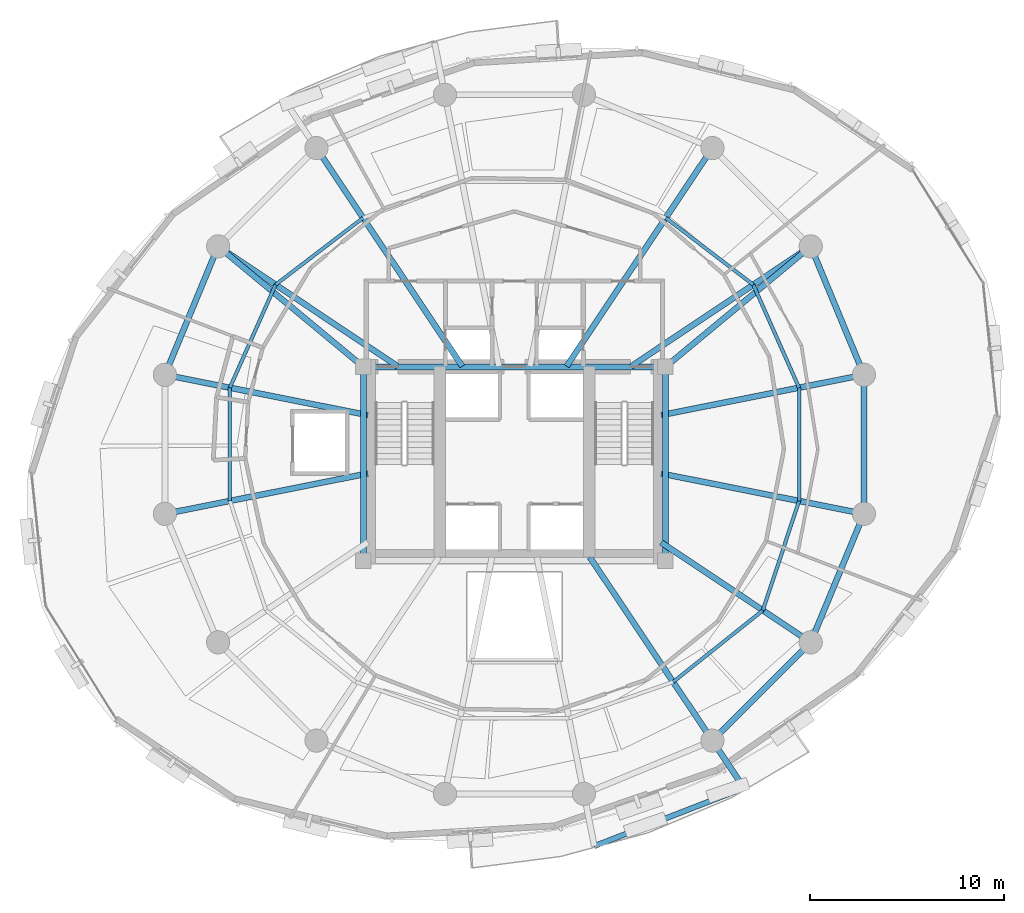
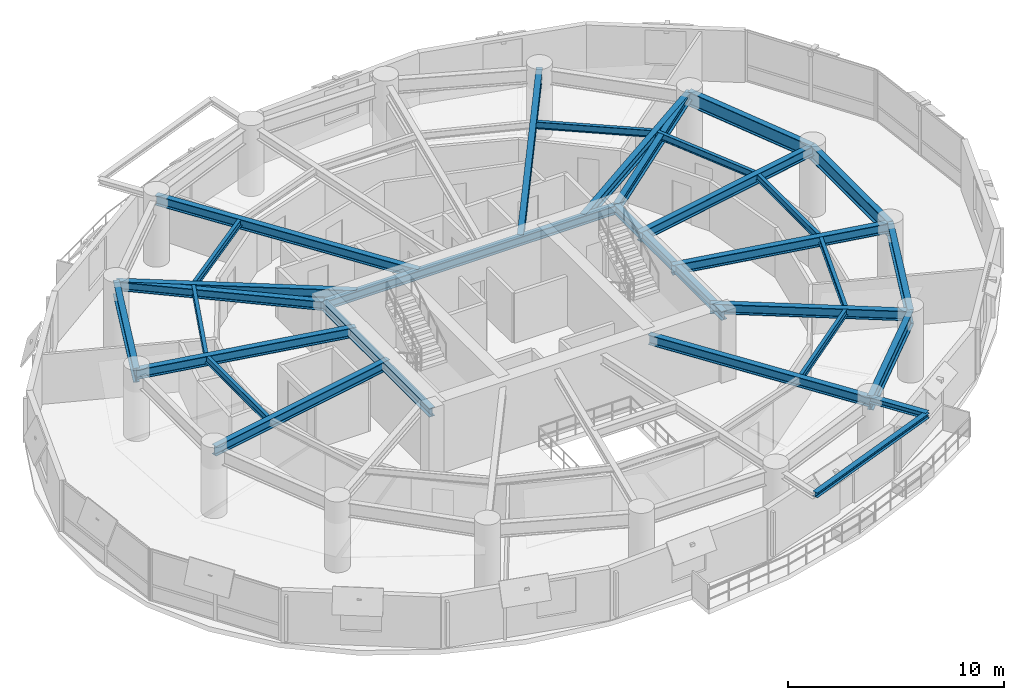
# One storey, part 5 of 15: 30 beams.
"""IFC4 building model written with IfcOpenShell, lengths in metres."""

import ifcopenshell
import ifcopenshell.guid

model = None  # the IFC model being written
_history = None  # IfcOwnerHistory: only IFC2X3 demands one
_inside = {}  # id of a spatial element -> (the spatial element, [elements in it])
_under = {}  # id of a project, library or spatial element -> (it, [spatial elements below it])
_declared = {}  # id of a project -> (the project, [libraries it declares])
_typed = {}  # id of a type object -> (the type object, [elements of that type])
_made_of = {}  # id of a material, layer set ... -> (it, [elements and type objects made of it])


def new_model(schema):
    """Start an empty IFC model of exactly this schema.

    Asked for "IFC4X3", IfcOpenShell would pick the latest addendum, in which some entities
    have other attributes; the version numbers below select the first issue.
    IFC2X3 requires an IfcOwnerHistory on every rooted entity: one is made here for all.
    """
    global model, _history
    if schema == "IFC4X3":
        model = ifcopenshell.file(schema_version=(4, 3, 0, 0))
    else:
        model = ifcopenshell.file(schema=schema)
    _inside.clear()
    _under.clear()
    _declared.clear()
    _typed.clear()
    _made_of.clear()
    _history = None
    if model.schema == "IFC2X3":
        org = make("IfcOrganization", Name="unknown")
        user = make(
            "IfcPersonAndOrganization",
            ThePerson=make("IfcPerson", FamilyName="unknown"),
            TheOrganization=org,
        )
        app = make(
            "IfcApplication",
            ApplicationDeveloper=org,
            Version="unknown",
            ApplicationFullName="unknown",
            ApplicationIdentifier="unknown",
        )
        _history = make(
            "IfcOwnerHistory",
            OwningUser=user,
            OwningApplication=app,
            ChangeAction="ADDED",
            CreationDate=0,
        )
    return model


def make(cls, **values):
    """One entity of the class cls with the attributes given. An attribute that is None is left unset."""
    return model.create_entity(
        cls, **{name: value for name, value in values.items() if value is not None}
    )


def rooted(cls, **values):
    """An entity with a GlobalId (a new one), such as an element, a storey or a relation."""
    return make(cls, GlobalId=ifcopenshell.guid.new(), OwnerHistory=_history, **values)


def si_unit(unit_type, name, prefix=None):
    """IfcSIUnit, for example si_unit("LENGTHUNIT", "METRE", prefix="MILLI")."""
    return make("IfcSIUnit", UnitType=unit_type, Prefix=prefix, Name=name)


def assignment(units):
    """IfcUnitAssignment: the units of a project."""
    return None if units is None else make("IfcUnitAssignment", Units=units)


def point(xyz):
    """IfcCartesianPoint."""
    return None if xyz is None else make("IfcCartesianPoint", Coordinates=xyz)


def direction(xyz):
    """IfcDirection."""
    return None if xyz is None else make("IfcDirection", DirectionRatios=xyz)


def frame(location, z_axis=None, x_axis=None):
    """IfcAxis2Placement3D, a coordinate frame: its origin and axes. An axis left out is left unset."""
    return make(
        "IfcAxis2Placement3D",
        Location=point(location),
        Axis=direction(z_axis),
        RefDirection=direction(x_axis),
    )


def frame_2d(location, x_axis=None):
    """IfcAxis2Placement2D, a coordinate frame in the plane: its origin and x axis."""
    return make(
        "IfcAxis2Placement2D", Location=point(location), RefDirection=direction(x_axis)
    )


def origin():
    """The frame at (0, 0, 0) with its axes left unset."""
    return frame((0.0, 0.0, 0.0))


def origin_2d():
    """The frame at (0, 0) in the plane with its x axis left unset."""
    return frame_2d((0.0, 0.0))


def place(relative_to, where):
    """IfcLocalPlacement: puts the frame where relative to a parent placement (None: the world)."""
    return make(
        "IfcLocalPlacement", PlacementRelTo=relative_to, RelativePlacement=where
    )


def context(
    kind, dimensions, precision=None, world=None, true_north=None, identifier=None
):
    """IfcGeometricRepresentationContext, for example the 3D "Model" context."""
    return make(
        "IfcGeometricRepresentationContext",
        ContextIdentifier=identifier,
        ContextType=kind,
        CoordinateSpaceDimension=dimensions,
        Precision=precision,
        WorldCoordinateSystem=world,
        TrueNorth=true_north,
    )


def subcontext(parent, identifier, kind, view, scale=None):
    """IfcGeometricRepresentationSubContext, for example "Body" below "Model"."""
    return make(
        "IfcGeometricRepresentationSubContext",
        ContextIdentifier=identifier,
        ContextType=kind,
        ParentContext=parent,
        TargetScale=scale,
        TargetView=view,
    )


def project(units=None, contexts=None):
    """IfcProject with its units and contexts."""
    return rooted(
        "IfcProject",
        Name="project",
        RepresentationContexts=contexts,
        UnitsInContext=assignment(units),
    )


def spatial(cls, under=None, at=None, **own):
    """A site, building, storey or space (cls), placed at a placement, below another one or the project."""
    s = rooted(cls, ObjectPlacement=at, **own)
    if under is not None:
        _under.setdefault(under.id(), (under, []))[1].append(s)
    return s


def profile(cls, at=None, kind="AREA", **sizes):
    """A parametric profile (cls). Its sizes go by their IFC names, for example OverallWidth=200.0."""
    return make(cls, ProfileType=kind, Position=at, **sizes)


def i_section(**sizes):
    """IfcIShapeProfileDef."""
    return profile("IfcIShapeProfileDef", **sizes)


def extrude(swept, where, along, depth):
    """IfcExtrudedAreaSolid: the profile swept, set in the frame where, extruded along a direction by depth."""
    return make(
        "IfcExtrudedAreaSolid",
        SweptArea=swept,
        Position=where,
        ExtrudedDirection=direction(along),
        Depth=depth,
    )


def shape(context_of_items, identifier, shape_type, items):
    """IfcShapeRepresentation: the items that make up one representation, for example the "Body"."""
    return make(
        "IfcShapeRepresentation",
        ContextOfItems=context_of_items,
        RepresentationIdentifier=identifier,
        RepresentationType=shape_type,
        Items=items,
    )


def material(Name=None, Category=None):
    """IfcMaterial."""
    return make("IfcMaterial", Name=Name, Category=Category)


def material_profile(
    of_material, cross_section, Name=None, Category=None, Priority=None
):
    """IfcMaterialProfile: a cross section and its material."""
    return make(
        "IfcMaterialProfile",
        Name=Name,
        Material=of_material,
        Profile=cross_section,
        Priority=Priority,
        Category=Category,
    )


def profile_set(profiles, Name=None, composite=None):
    """IfcMaterialProfileSet."""
    return make(
        "IfcMaterialProfileSet",
        Name=Name,
        MaterialProfiles=profiles,
        CompositeProfile=composite,
    )


def made_of(thing, what):
    """Note that an element or type object is made of a material, layer set ...; save() writes the relation."""
    if what is not None:
        _made_of.setdefault(what.id(), (what, []))[1].append(thing)
    return thing


def type_object(cls, material=None, **own):
    """A type object (cls), such as IfcWallType, which elements share."""
    return made_of(rooted(cls, **own), material)


def element(
    cls,
    number,
    at=None,
    inside=None,
    cuts=None,
    type_object=None,
    material=None,
    context=None,
    identifier="Body",
    shape_type=None,
    held_by="IfcProductDefinitionShape",
    body=None,
    shapes=None,
    **own,
):
    """One element of the class cls, such as IfcWall. Its Tag is "e" and its number.

    at: its placement. inside: the storey or other place that contains it. cuts: it is an
    opening in that element (IfcRelVoidsElement). A single representation is given by context,
    identifier, shape_type and body (its items); several are given by shapes. held_by: the class
    of the entity that holds the representations. save() writes the other relations.
    """
    e = rooted(cls, Tag="e%d" % number, ObjectPlacement=at, **own)
    if body is not None:
        shapes = [shape(context, identifier, shape_type, body)]
    if shapes is not None:
        e.Representation = make(held_by, Representations=shapes)
    if inside is not None:
        _inside.setdefault(inside.id(), (inside, []))[1].append(e)
    if cuts is not None:
        rooted(
            "IfcRelVoidsElement", RelatingBuildingElement=cuts, RelatedOpeningElement=e
        )
    if type_object is not None:
        _typed.setdefault(type_object.id(), (type_object, []))[1].append(e)
    return made_of(e, material)


def aggregate(whole, parts):
    """IfcRelAggregates: a whole, such as a stair, and the parts it consists of."""
    return rooted("IfcRelAggregates", RelatingObject=whole, RelatedObjects=parts)


def save(model, path):
    """Write the relations noted so far, then the file.

    IfcRelAggregates (storeys below a building ...), IfcRelContainedInSpatialStructure (elements
    in a storey), IfcRelDefinesByType, IfcRelAssociatesMaterial and IfcRelDeclares: one each for
    every whole, place, type object, material and project.
    """
    for whole, parts in _under.values():
        aggregate(whole, parts)
    for where, things in _inside.values():
        rooted(
            "IfcRelContainedInSpatialStructure",
            RelatedElements=things,
            RelatingStructure=where,
        )
    for kind, things in _typed.values():
        rooted("IfcRelDefinesByType", RelatedObjects=things, RelatingType=kind)
    for what, things in _made_of.values():
        rooted("IfcRelAssociatesMaterial", RelatedObjects=things, RelatingMaterial=what)
    for by, libraries in _declared.values():
        rooted("IfcRelDeclares", RelatingContext=by, RelatedDefinitions=libraries)
    model.write(path)


model = new_model("IFC4")

# Units and contexts
model_context = context("Model", 3, precision=1e-05, world=origin(), true_north=direction((0.0, 1.0)))
body_context = subcontext(model_context, "Body", "Model", "MODEL_VIEW")
ifc_project = project(units=[si_unit("LENGTHUNIT", "METRE"), si_unit("AREAUNIT", "SQUARE_METRE"), si_unit("VOLUMEUNIT", "CUBIC_METRE"), si_unit("PLANEANGLEUNIT", "RADIAN"), si_unit("MASSUNIT", "GRAM", prefix="KILO"), si_unit("THERMODYNAMICTEMPERATUREUNIT", "KELVIN"), si_unit("POWERUNIT", "WATT")], contexts=[model_context])

# Site, building, storey
site_placement = place(None, origin())
site = spatial("IfcSite", under=ifc_project, at=site_placement, CompositionType="ELEMENT")
building_placement = place(site_placement, origin())
building = spatial("IfcBuilding", under=site, at=building_placement, Name="Ocrelia Relay Tower", CompositionType="ELEMENT")
storey_placement = place(building_placement, frame((0.0, 0.0, 113.800048828125)))
storey = spatial("IfcBuildingStorey", under=building, at=storey_placement, Name="L26", CompositionType="ELEMENT", Elevation=113.800048828125)

# Beams
ifc_material = material(Name="Steel S355", Category="steel")
ifc_material_profile_1 = material_profile(ifc_material, i_section(OverallWidth=0.280029296875, OverallDepth=0.27001953125, WebThickness=0.008056640625, FlangeThickness=0.012939453125, FilletRadius=0.02392578125, at=origin_2d()), Name="HEA 280")
ifc_profile_set_1 = profile_set([ifc_material_profile_1], Name="Steel S355")
beam_type_1 = type_object("IfcBeamType", Name="BM-HEA280", PredefinedType="BEAM", material=ifc_profile_set_1)
beam_1_placement = place(storey_placement, frame((38.126708984375, 5.254638671875, 3.5849609375), z_axis=(0.932059369209, 0.362305578579, 0.0), x_axis=(-0.362305578579, 0.932059369209, 0.0)))
element("IfcBeam", 1, at=beam_1_placement, inside=storey, type_object=beam_type_1, Name="L27 Balcony Edge Trimmer Beam B2", PredefinedType="BEAM", context=body_context, shape_type="SweptSolid", body=[
    extrude(i_section(OverallWidth=0.280029296875, OverallDepth=0.27001953125, WebThickness=0.008056640625, FlangeThickness=0.012939453125, FilletRadius=0.02392578125, at=origin_2d()), origin(), (0.0, 0.0, 1.0), 8.291015625),
])
ifc_material_profile_2 = material_profile(ifc_material, i_section(OverallWidth=0.300048828125, OverallDepth=0.330078125, WebThickness=0.009521484375, FlangeThickness=0.0166015625, FilletRadius=0.027099609375, at=origin_2d()), Name="HEA 340")
ifc_profile_set_2 = profile_set([ifc_material_profile_2], Name="Steel S355")
beam_type_2 = type_object("IfcBeamType", Name="BM-HEA340", PredefinedType="BEAM", material=ifc_profile_set_2)
beam_2_placement = place(storey_placement, frame((44.222412109375, 10.700927734375, 3.554931640625), z_axis=(0.555601312317, -0.83144884494, 0.0), x_axis=(0.83144884494, 0.555601312317, 0.0)))
element("IfcBeam", 2, at=beam_2_placement, inside=storey, type_object=beam_type_2, Name="L27 Balcony Cantilever Beam B2-2", PredefinedType="BEAM", context=body_context, shape_type="SweptSolid", body=[
    extrude(i_section(OverallWidth=0.300048828125, OverallDepth=0.330078125, WebThickness=0.009521484375, FlangeThickness=0.0166015625, FilletRadius=0.027099609375, at=origin_2d()), origin(), (0.0, 0.0, 1.0), 2.9375),
])
ifc_material_profile_3 = material_profile(ifc_material, i_section(OverallWidth=0.300048828125, OverallDepth=0.5, WebThickness=0.014404296875, FlangeThickness=0.028076171875, FilletRadius=0.027099609375, at=origin_2d()), Name="HEB 500")
ifc_profile_set_3 = profile_set([ifc_material_profile_3], Name="Steel S355")
beam_type_3 = type_object("IfcBeamType", Name="BM-HEB500", PredefinedType="BEAM", material=ifc_profile_set_3)
beam_3_placement = place(storey_placement, frame((26.199951171875, 30.0, 3.469970703125), z_axis=(1.0, 0.0, 0.0), x_axis=(0.0, 1.0, 0.0)))
element("IfcBeam", 3, at=beam_3_placement, inside=storey, type_object=beam_type_3, Name="L26 Core Pilaster Tie Beam N", PredefinedType="BEAM", context=body_context, shape_type="SweptSolid", body=[
    extrude(i_section(OverallWidth=0.300048828125, OverallDepth=0.5, WebThickness=0.014404296875, FlangeThickness=0.028076171875, FilletRadius=0.027099609375, at=origin_2d()), origin(), (0.0, 0.0, 1.0), 15.60009765625),
])
for number, where, z_axis, x_axis, name in (
    (4, (26.199951171875, 20.0, 3.469970703125), (0.0, 1.0, 0.0), (-1.0, 0.0, 0.0), "L26 Core Pilaster Tie Beam W"),
    (5, (41.800048828125, 20.0, 3.469970703125), (0.0, 1.0, 0.0), (-1.0, 0.0, 0.0), "L26 Core Pilaster Tie Beam E"),
):
    element("IfcBeam", number, at=place(storey_placement, frame(where, z_axis=z_axis, x_axis=x_axis)), inside=storey, type_object=beam_type_3, Name=name, PredefinedType="BEAM", context=body_context, shape_type="SweptSolid", body=[
        extrude(i_section(OverallWidth=0.300048828125, OverallDepth=0.5, WebThickness=0.014404296875, FlangeThickness=0.028076171875, FilletRadius=0.027099609375, at=origin_2d()), origin(), (0.0, 0.0, 1.0), 10.0),
    ])
for number, where, z_axis, x_axis, name in (
    (6, (49.299072265625, 36.222412109375, 3.469970703125), (-0.769570862751, -0.638561420072, 0.0), (0.638561420072, -0.769570862751, 0.0), "L26 Core Pilaster Frame Tie Beam PT02"),
    (7, (18.700927734375, 36.222412109375, 3.469970703125), (0.769570862751, -0.638561420072, 0.0), (0.638561420072, 0.769570862751, 0.0), "L26 Core Pilaster Frame Tie Beam PT07"),
):
    element("IfcBeam", number, at=place(storey_placement, frame(where, z_axis=z_axis, x_axis=x_axis)), inside=storey, type_object=beam_type_3, Name=name, PredefinedType="BEAM", context=body_context, shape_type="SweptSolid", body=[
        extrude(i_section(OverallWidth=0.300048828125, OverallDepth=0.5, WebThickness=0.014404296875, FlangeThickness=0.028076171875, FilletRadius=0.027099609375, at=origin_2d()), origin(), (0.0, 0.0, 1.0), 9.744384765625),
    ])
ifc_material_profile_4 = material_profile(ifc_material, i_section(OverallWidth=0.300048828125, OverallDepth=0.550048828125, WebThickness=0.014892578125, FlangeThickness=0.029052734375, FilletRadius=0.027099609375, at=origin_2d()), Name="HEB 550")
ifc_profile_set_4 = profile_set([ifc_material_profile_4], Name="Steel S355")
beam_type_4 = type_object("IfcBeamType", Name="BM-HEB550", PredefinedType="BEAM", material=ifc_profile_set_4)
beam_4_placement = place(storey_placement, frame((52.04638671875, 29.589599609375, 3.445068359375), z_axis=(-0.980786914024, -0.195082109071, 0.0), x_axis=(0.195082109071, -0.980786914024, 0.0)))
element("IfcBeam", 8, at=beam_4_placement, inside=storey, type_object=beam_type_4, Name="L26 Radial Floor Girder R01", PredefinedType="BEAM", context=body_context, shape_type="SweptSolid", body=[
    extrude(i_section(OverallWidth=0.300048828125, OverallDepth=0.550048828125, WebThickness=0.014892578125, FlangeThickness=0.029052734375, FilletRadius=0.027099609375, at=origin_2d()), origin(), (0.0, 0.0, 1.0), 10.67138671875),
])
beam_5_placement = place(storey_placement, frame((49.299072265625, 36.222412109375, 3.445068359375), z_axis=(-0.83147699108, -0.555559189741, 0.0), x_axis=(0.555559189741, -0.83147699108, 0.0)))
element("IfcBeam", 9, at=beam_5_placement, inside=storey, type_object=beam_type_4, Name="L26 Radial Floor Girder R02", PredefinedType="BEAM", context=body_context, shape_type="SweptSolid", body=[
    extrude(i_section(OverallWidth=0.300048828125, OverallDepth=0.550048828125, WebThickness=0.014892578125, FlangeThickness=0.029052734375, FilletRadius=0.027099609375, at=origin_2d()), origin(), (0.0, 0.0, 1.0), 11.146240234375),
])
for number, where, z_axis, x_axis, name in (
    (10, (44.222412109375, 41.299072265625, 3.445068359375), (-0.555560399988, -0.83147618244, 0.0), (0.83147618244, -0.555560399988, 0.0), "L26 Radial Floor Girder R03"),
    (11, (23.777587890625, 41.299072265625, 3.445068359375), (0.555560399988, -0.83147618244, 0.0), (0.83147618244, 0.555560399988, 0.0), "L26 Radial Floor Girder R06"),
):
    element("IfcBeam", number, at=place(storey_placement, frame(where, z_axis=z_axis, x_axis=x_axis)), inside=storey, type_object=beam_type_4, Name=name, PredefinedType="BEAM", context=body_context, shape_type="SweptSolid", body=[
        extrude(i_section(OverallWidth=0.300048828125, OverallDepth=0.550048828125, WebThickness=0.014892578125, FlangeThickness=0.029052734375, FilletRadius=0.027099609375, at=origin_2d()), origin(), (0.0, 0.0, 1.0), 13.552978515625),
    ])
beam_6_placement = place(storey_placement, frame((18.700927734375, 36.222412109375, 3.445068359375), z_axis=(0.83147699108, -0.555559189741, 0.0), x_axis=(0.555559189741, 0.83147699108, 0.0)))
element("IfcBeam", 12, at=beam_6_placement, inside=storey, type_object=beam_type_4, Name="L26 Radial Floor Girder R07", PredefinedType="BEAM", context=body_context, shape_type="SweptSolid", body=[
    extrude(i_section(OverallWidth=0.300048828125, OverallDepth=0.550048828125, WebThickness=0.014892578125, FlangeThickness=0.029052734375, FilletRadius=0.027099609375, at=origin_2d()), origin(), (0.0, 0.0, 1.0), 11.146240234375),
])
for number, where, z_axis, x_axis, name in (
    (13, (15.95361328125, 29.589599609375, 3.445068359375), (0.980787592082, -0.195078700063, 0.0), (0.195078700063, 0.980787592082, 0.0), "L26 Radial Floor Girder R08"),
    (14, (15.95361328125, 22.410400390625, 3.445068359375), (0.980787592082, 0.195078700063, 0.0), (-0.195078700063, 0.980787592082, 0.0), "L26 Radial Floor Girder R09"),
):
    element("IfcBeam", number, at=place(storey_placement, frame(where, z_axis=z_axis, x_axis=x_axis)), inside=storey, type_object=beam_type_4, Name=name, PredefinedType="BEAM", context=body_context, shape_type="SweptSolid", body=[
        extrude(i_section(OverallWidth=0.300048828125, OverallDepth=0.550048828125, WebThickness=0.014892578125, FlangeThickness=0.029052734375, FilletRadius=0.027099609375, at=origin_2d()), origin(), (0.0, 0.0, 1.0), 10.681640625),
    ])
beam_7_placement = place(storey_placement, frame((44.222412109375, 10.700927734375, 3.445068359375), z_axis=(-0.555565661158, 0.831472667105, 0.0), x_axis=(-0.831472667105, -0.555565661158, 0.0)))
element("IfcBeam", 15, at=beam_7_placement, inside=storey, type_object=beam_type_4, Name="L26 Radial Floor Girder R14", PredefinedType="BEAM", context=body_context, shape_type="SweptSolid", body=[
    extrude(i_section(OverallWidth=0.300048828125, OverallDepth=0.550048828125, WebThickness=0.014892578125, FlangeThickness=0.029052734375, FilletRadius=0.027099609375, at=origin_2d()), origin(), (0.0, 0.0, 1.0), 11.38818359375),
])
beam_8_placement = place(storey_placement, frame((49.299072265625, 15.777587890625, 3.445068359375), z_axis=(-0.8314672312, 0.555573796575, 0.0), x_axis=(-0.555573796575, -0.8314672312, 0.0)))
element("IfcBeam", 16, at=beam_8_placement, inside=storey, type_object=beam_type_4, Name="L26 Radial Floor Girder R15", PredefinedType="BEAM", context=body_context, shape_type="SweptSolid", body=[
    extrude(i_section(OverallWidth=0.300048828125, OverallDepth=0.550048828125, WebThickness=0.014892578125, FlangeThickness=0.029052734375, FilletRadius=0.027099609375, at=origin_2d()), origin(), (0.0, 0.0, 1.0), 9.28369140625),
])
beam_9_placement = place(storey_placement, frame((52.04638671875, 22.410400390625, 3.445068359375), z_axis=(-0.980786914024, 0.195082109071, 0.0), x_axis=(-0.195082109071, -0.980786914024, 0.0)))
element("IfcBeam", 17, at=beam_9_placement, inside=storey, type_object=beam_type_4, Name="L26 Radial Floor Girder R16", PredefinedType="BEAM", context=body_context, shape_type="SweptSolid", body=[
    extrude(i_section(OverallWidth=0.300048828125, OverallDepth=0.550048828125, WebThickness=0.014892578125, FlangeThickness=0.029052734375, FilletRadius=0.027099609375, at=origin_2d()), origin(), (0.0, 0.0, 1.0), 10.67138671875),
])
ifc_material_profile_5 = material_profile(ifc_material, i_section(OverallWidth=0.300048828125, OverallDepth=0.800048828125, WebThickness=0.017578125, FlangeThickness=0.032958984375, FilletRadius=0.030029296875, at=origin_2d()), Name="HEB 800")
ifc_profile_set_5 = profile_set([ifc_material_profile_5], Name="Steel S355")
beam_type_5 = type_object("IfcBeamType", Name="BM-HEB800", PredefinedType="BEAM", material=ifc_profile_set_5)
for number, where, z_axis, x_axis, name in (
    (18, (52.04638671875, 29.589599609375, 3.320068359375), (-0.382673155247, 0.923883789366, 0.0), (-0.923883789366, -0.382673155247, 0.0), "L26 Perimeter Spandrel Beam S01"),
    (19, (18.700927734375, 36.222412109375, 3.320068359375), (-0.382673155247, -0.923883789366, 0.0), (0.923883789366, -0.382673155247, 0.0), "L26 Perimeter Spandrel Beam S07"),
):
    element("IfcBeam", number, at=place(storey_placement, frame(where, z_axis=z_axis, x_axis=x_axis)), inside=storey, type_object=beam_type_5, Name=name, PredefinedType="BEAM", context=body_context, shape_type="SweptSolid", body=[
        extrude(i_section(OverallWidth=0.300048828125, OverallDepth=0.800048828125, WebThickness=0.017578125, FlangeThickness=0.032958984375, FilletRadius=0.030029296875, at=origin_2d()), origin(), (0.0, 0.0, 1.0), 7.17919921875),
    ])
beam_10_placement = place(storey_placement, frame((44.222412109375, 10.700927734375, 3.320068359375), z_axis=(0.707106781187, 0.707106781187, 0.0), x_axis=(-0.707106781187, 0.707106781187, 0.0)))
element("IfcBeam", 20, at=beam_10_placement, inside=storey, type_object=beam_type_5, Name="L26 Perimeter Spandrel Beam S14", PredefinedType="BEAM", context=body_context, shape_type="SweptSolid", body=[
    extrude(i_section(OverallWidth=0.300048828125, OverallDepth=0.800048828125, WebThickness=0.017578125, FlangeThickness=0.032958984375, FilletRadius=0.030029296875, at=origin_2d()), origin(), (0.0, 0.0, 1.0), 7.179443359375),
])
for number, where, z_axis, x_axis, name in (
    (21, (49.299072265625, 15.777587890625, 3.320068359375), (0.382673155247, 0.923883789366, 0.0), (-0.923883789366, 0.382673155247, 0.0), "L26 Perimeter Spandrel Beam S15"),
    (22, (52.04638671875, 22.410400390625, 3.320068359375), (0.0, 1.0, 0.0), (-1.0, 0.0, 0.0), "L26 Perimeter Spandrel Beam S16"),
):
    element("IfcBeam", number, at=place(storey_placement, frame(where, z_axis=z_axis, x_axis=x_axis)), inside=storey, type_object=beam_type_5, Name=name, PredefinedType="BEAM", context=body_context, shape_type="SweptSolid", body=[
        extrude(i_section(OverallWidth=0.300048828125, OverallDepth=0.800048828125, WebThickness=0.017578125, FlangeThickness=0.032958984375, FilletRadius=0.030029296875, at=origin_2d()), origin(), (0.0, 0.0, 1.0), 7.17919921875),
    ])
ifc_material_profile_6 = material_profile(ifc_material, i_section(OverallWidth=0.179931640625, OverallDepth=0.39990234375, WebThickness=0.008544921875, FlangeThickness=0.013427734375, FilletRadius=0.02099609375, at=origin_2d()), Name="IPE 400")
ifc_profile_set_6 = profile_set([ifc_material_profile_6], Name="Steel S355")
beam_type_6 = type_object("IfcBeamType", Name="BM-IPE400", PredefinedType="JOIST", material=ifc_profile_set_6)
beam_11_placement = place(storey_placement, frame((48.697265625, 28.923583984375, 3.52001953125), z_axis=(-0.406243565397, 0.913764830563, 0.0), x_axis=(-0.913764830563, -0.406243565397, 0.0)))
element("IfcBeam", 23, at=beam_11_placement, inside=storey, type_object=beam_type_6, Name="L26 Secondary Floor Joist J01", PredefinedType="JOIST", context=body_context, shape_type="SweptSolid", body=[
    extrude(i_section(OverallWidth=0.179931640625, OverallDepth=0.39990234375, WebThickness=0.008544921875, FlangeThickness=0.013427734375, FilletRadius=0.02099609375, at=origin_2d()), origin(), (0.0, 0.0, 1.0), 5.819091796875),
])
for number, where, z_axis, x_axis, name in (
    (24, (46.333251953125, 34.240966796875, 3.52001953125), (-0.794762167004, 0.60692099807, 0.0), (-0.60692099807, -0.794762167004, 0.0), "L26 Secondary Floor Joist J02"),
    (25, (26.18701171875, 37.69287109375, 3.52001953125), (-0.794762167004, -0.60692099807, 0.0), (0.60692099807, -0.794762167004, 0.0), "L26 Secondary Floor Joist J06"),
):
    element("IfcBeam", number, at=place(storey_placement, frame(where, z_axis=z_axis, x_axis=x_axis)), inside=storey, type_object=beam_type_6, Name=name, PredefinedType="JOIST", context=body_context, shape_type="SweptSolid", body=[
        extrude(i_section(OverallWidth=0.179931640625, OverallDepth=0.39990234375, WebThickness=0.008544921875, FlangeThickness=0.013427734375, FilletRadius=0.02099609375, at=origin_2d()), origin(), (0.0, 0.0, 1.0), 5.6875),
    ])
beam_12_placement = place(storey_placement, frame((21.666748046875, 34.240966796875, 3.52001953125), z_axis=(-0.405741333342, -0.913987948727, 0.0), x_axis=(0.913987948727, -0.405741333342, 0.0)))
element("IfcBeam", 26, at=beam_12_placement, inside=storey, type_object=beam_type_6, Name="L26 Secondary Floor Joist J07", PredefinedType="JOIST", context=body_context, shape_type="SweptSolid", body=[
    extrude(i_section(OverallWidth=0.179931640625, OverallDepth=0.39990234375, WebThickness=0.008544921875, FlangeThickness=0.013427734375, FilletRadius=0.02099609375, at=origin_2d()), origin(), (0.0, 0.0, 1.0), 5.818603515625),
])
beam_13_placement = place(storey_placement, frame((19.305908203125, 28.9228515625, 3.52001953125), z_axis=(0.0, -1.0, 0.0), x_axis=(1.0, 0.0, 0.0)))
element("IfcBeam", 27, at=beam_13_placement, inside=storey, type_object=beam_type_6, Name="L26 Secondary Floor Joist J08", PredefinedType="JOIST", context=body_context, shape_type="SweptSolid", body=[
    extrude(i_section(OverallWidth=0.179931640625, OverallDepth=0.39990234375, WebThickness=0.008544921875, FlangeThickness=0.013427734375, FilletRadius=0.02099609375, at=origin_2d()), origin(), (0.0, 0.0, 1.0), 5.845703125),
])
beam_14_placement = place(storey_placement, frame((42.197998046875, 13.731201171875, 3.52001953125), z_axis=(0.781519577804, 0.623880717372, 0.0), x_axis=(-0.623880717372, 0.781519577804, 0.0)))
element("IfcBeam", 28, at=beam_14_placement, inside=storey, type_object=beam_type_6, Name="L26 Secondary Floor Joist J14", PredefinedType="JOIST", context=body_context, shape_type="SweptSolid", body=[
    extrude(i_section(OverallWidth=0.179931640625, OverallDepth=0.39990234375, WebThickness=0.008544921875, FlangeThickness=0.013427734375, FilletRadius=0.02099609375, at=origin_2d()), origin(), (0.0, 0.0, 1.0), 5.925537109375),
])
beam_15_placement = place(storey_placement, frame((46.828857421875, 17.427978515625, 3.52001953125), z_axis=(0.314047924314, 0.949407131443, 0.0), x_axis=(-0.949407131443, 0.314047924314, 0.0)))
element("IfcBeam", 29, at=beam_15_placement, inside=storey, type_object=beam_type_6, Name="L26 Secondary Floor Joist J15", PredefinedType="JOIST", context=body_context, shape_type="SweptSolid", body=[
    extrude(i_section(OverallWidth=0.179931640625, OverallDepth=0.39990234375, WebThickness=0.008544921875, FlangeThickness=0.013427734375, FilletRadius=0.02099609375, at=origin_2d()), origin(), (0.0, 0.0, 1.0), 5.949462890625),
])
beam_16_placement = place(storey_placement, frame((48.697265625, 23.076416015625, 3.52001953125), z_axis=(0.0, 1.0, 0.0), x_axis=(-1.0, 0.0, 0.0)))
element("IfcBeam", 30, at=beam_16_placement, inside=storey, type_object=beam_type_6, Name="L26 Secondary Floor Joist J16", PredefinedType="JOIST", context=body_context, shape_type="SweptSolid", body=[
    extrude(i_section(OverallWidth=0.179931640625, OverallDepth=0.39990234375, WebThickness=0.008544921875, FlangeThickness=0.013427734375, FilletRadius=0.02099609375, at=origin_2d()), origin(), (0.0, 0.0, 1.0), 5.84716796875),
])

save(model, "model.ifc")
